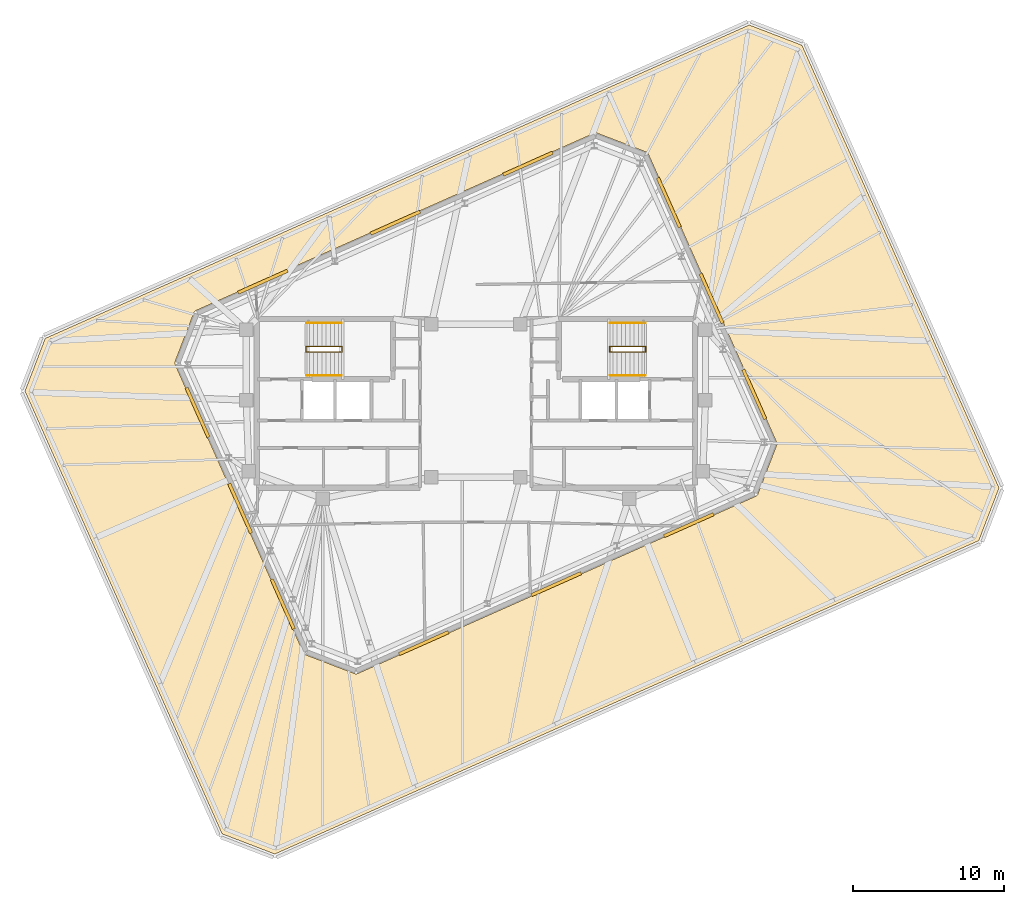
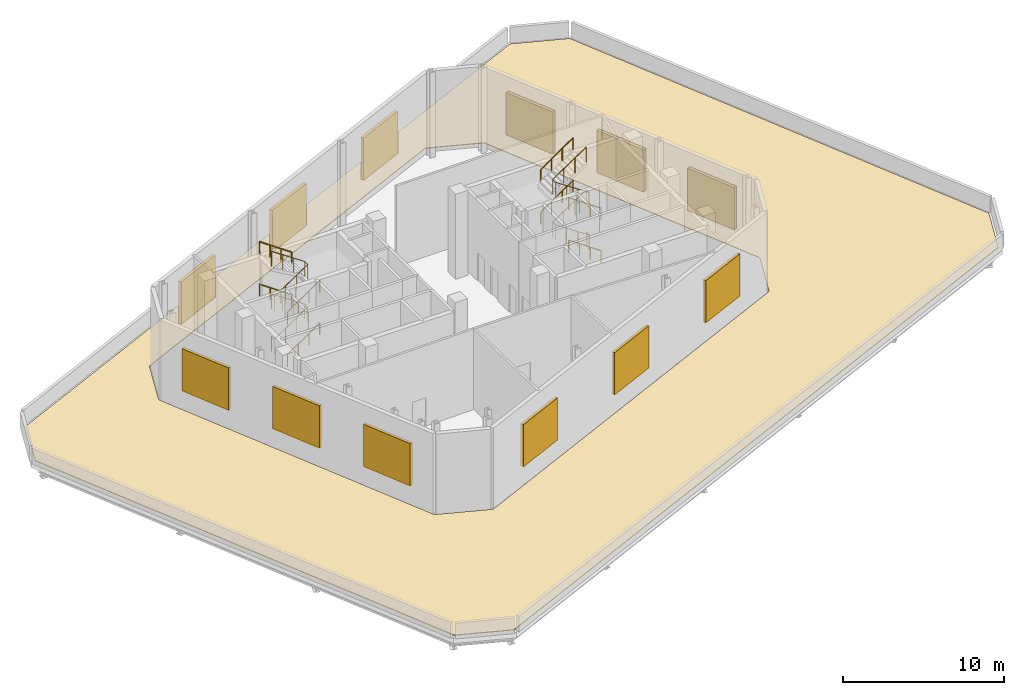
# One storey, part 10 of 10: 12 railings, 12 shading devices, 1 covering.
"""IFC4 building model written with IfcOpenShell, lengths in metres."""

from ifc_helpers import new_model, si_unit, direction, frame, origin, origin_2d, place, context, subcontext, project, spatial, polyline, rectangle, circle, outline, extrude, material, layer, layer_set, type_object, element, save


model = new_model("IFC4")

# Units and contexts
model_context = context("Model", 3, precision=1e-05, world=origin(), true_north=direction((0.0, 1.0)))
body_context = subcontext(model_context, "Body", "Model", "MODEL_VIEW")
ifc_project = project(units=[si_unit("LENGTHUNIT", "METRE"), si_unit("AREAUNIT", "SQUARE_METRE"), si_unit("VOLUMEUNIT", "CUBIC_METRE"), si_unit("PLANEANGLEUNIT", "RADIAN"), si_unit("MASSUNIT", "GRAM", prefix="KILO")], contexts=[model_context])

# Site, building, storey
site_placement = place(None, origin())
site = spatial("IfcSite", under=ifc_project, at=site_placement, CompositionType="ELEMENT")
building_placement = place(site_placement, origin())
building = spatial("IfcBuilding", under=site, at=building_placement, Name="Menara Jurai Vektor", CompositionType="ELEMENT")
storey_placement = place(building_placement, frame((0.0, 0.0, 305.550048828125)))
storey = spatial("IfcBuildingStorey", under=building, at=storey_placement, Name="L82", CompositionType="ELEMENT", Elevation=305.550048828125)

# Covering
ifc_material_1 = material(Name="Insulated Pale Metal Standing-Seam Roofing", Category="aluminium")
ifc_layer = layer(ifc_material_1, 0.050048828125)
ifc_layer_set = layer_set([ifc_layer], Name="Insulated Pale Metal Standing-Seam Roofing")
covering_type = type_object("IfcCoveringType", Name="ENV-COV-ROOFING", PredefinedType="ROOFING", material=ifc_layer_set)
covering_placement = place(storey_placement, origin())
element("IfcCovering", 1, at=covering_placement, inside=storey, type_object=covering_type, Name="Block 5 Main Roof Standing-Seam Roofing", PredefinedType="ROOFING", context=body_context, shape_type="SweptSolid", body=[
    extrude(outline(polyline([(-13.357177734375, -29.93994140625), (33.409912109375, -9.117919921875), (34.754638671875, -5.614501953125), (21.66064453125, 23.795166015625), (18.1572265625, 25.139892578125), (-28.60986328125, 4.318115234375), (-29.95458984375, 0.814453125), (-16.860595703125, -28.59521484375), (-13.357177734375, -29.93994140625)]), holes=[polyline([(-8.011962890625, -17.966552734375), (-7.99267578125, -17.970947265625), (-7.97314453125, -17.973388671875), (-7.95361328125, -17.9736328125), (-7.93408203125, -17.97216796875), (-7.914794921875, -17.96875), (-7.895751953125, -17.963623046875), (-7.87744140625, -17.95654296875), (18.615234375, -6.1611328125), (18.6328125, -6.15234375), (18.6494140625, -6.1416015625), (18.664794921875, -6.129638671875), (18.67919921875, -6.1162109375), (18.69189453125, -6.101318359375), (18.703125, -6.085205078125), (18.712890625, -6.068115234375), (18.720703125, -6.050048828125), (19.98779296875, -2.74951171875), (19.993896484375, -2.730712890625), (19.998046875, -2.711669921875), (20.00048828125, -2.692138671875), (20.0009765625, -2.672607421875), (19.99951171875, -2.65283203125), (19.99609375, -2.633544921875), (19.99072265625, -2.61474609375), (19.983642578125, -2.596435546875), (11.442138671875, 16.588134765625), (11.433349609375, 16.605712890625), (11.4228515625, 16.622314453125), (11.410888671875, 16.6376953125), (11.397216796875, 16.65185546875), (11.38232421875, 16.66455078125), (11.3662109375, 16.67578125), (11.34912109375, 16.685546875), (11.331298828125, 16.693603515625), (8.030517578125, 17.96044921875), (8.011962890625, 17.966552734375), (7.99267578125, 17.970947265625), (7.97314453125, 17.973388671875), (7.95361328125, 17.9736328125), (7.93408203125, 17.97216796875), (7.914794921875, 17.96875), (7.895751953125, 17.963623046875), (7.87744140625, 17.95654296875), (-18.615234375, 6.1611328125), (-18.6328125, 6.15234375), (-18.6494140625, 6.1416015625), (-18.664794921875, 6.129638671875), (-18.67919921875, 6.1162109375), (-18.69189453125, 6.101318359375), (-18.703125, 6.085205078125), (-18.712890625, 6.068115234375), (-18.720703125, 6.050048828125), (-19.98779296875, 2.74951171875), (-19.993896484375, 2.730712890625), (-19.998046875, 2.711669921875), (-20.00048828125, 2.692138671875), (-20.0009765625, 2.672607421875), (-19.99951171875, 2.65283203125), (-19.99609375, 2.633544921875), (-19.99072265625, 2.61474609375), (-19.983642578125, 2.596435546875), (-11.442138671875, -16.588134765625), (-11.433349609375, -16.605712890625), (-11.4228515625, -16.622314453125), (-11.410888671875, -16.6376953125), (-11.397216796875, -16.65185546875), (-11.38232421875, -16.66455078125), (-11.3662109375, -16.67578125), (-11.34912109375, -16.685546875), (-11.331298828125, -16.693603515625), (-8.030517578125, -17.96044921875), (-8.011962890625, -17.966552734375)])]), origin(), (0.0, 0.0, 1.0), 0.050048828125),
])

# Shading devices
ifc_material_2 = material(Name="Anodised Pale Aluminium Acoustic Louvre", Category="aluminium")
shading_device_type = type_object("IfcShadingDeviceType", Name="ENV-SHD-LOUVRE-DRUM", PredefinedType="USERDEFINED", material=ifc_material_2)
for number, where, z_axis, x_axis, name in (
    (2, (-3.458984375, -15.923583984375, 1.5), (0.0, 0.0, 1.0), (0.913545457643, 0.406736643076, 0.0), "Acoustic Plant Weather Louvre L82-DR01-1"),
    (3, (5.344482421875, -12.00390625, 1.5), (0.0, 0.0, 1.0), (0.913545457643, 0.406736643076, 0.0), "Acoustic Plant Weather Louvre L82-DR01-2"),
    (4, (14.148193359375, -8.08447265625, 1.5), (0.0, 0.0, 1.0), (0.913545457643, 0.406736643076, 0.0), "Acoustic Plant Weather Louvre L82-DR01-3"),
    (5, (18.4931640625, 0.60400390625, 1.5), (0.0, 0.0, 1.0), (-0.406736643076, 0.913545457643, 0.0), "Acoustic Plant Weather Louvre L82-DR03-1"),
    (6, (15.658203125, 6.971435546875, 1.5), (0.0, 0.0, 1.0), (-0.406736643076, 0.913545457643, 0.0), "Acoustic Plant Weather Louvre L82-DR03-2"),
    (7, (12.8232421875, 13.3388671875, 1.5), (0.0, 0.0, 1.0), (-0.406736643076, 0.913545457643, 0.0), "Acoustic Plant Weather Louvre L82-DR03-3"),
    (8, (3.458984375, 15.923583984375, 1.5), (0.0, 0.0, 1.0), (-0.913545457643, -0.406736643076, 0.0), "Acoustic Plant Weather Louvre L82-DR05-1"),
    (9, (-5.344482421875, 12.00390625, 1.5), (0.0, 0.0, 1.0), (-0.913545457643, -0.406736643076, 0.0), "Acoustic Plant Weather Louvre L82-DR05-2"),
    (10, (-14.148193359375, 8.08447265625, 1.5), (0.0, 0.0, 1.0), (-0.913545457643, -0.406736643076, 0.0), "Acoustic Plant Weather Louvre L82-DR05-3"),
    (11, (-18.4931640625, -0.60400390625, 1.5), (0.0, 0.0, 1.0), (0.406736643076, -0.913545457643, 0.0), "Acoustic Plant Weather Louvre L82-DR07-1"),
    (12, (-15.658203125, -6.971435546875, 1.5), (0.0, 0.0, 1.0), (0.406736643076, -0.913545457643, 0.0), "Acoustic Plant Weather Louvre L82-DR07-2"),
    (13, (-12.8232421875, -13.3388671875, 1.5), (0.0, 0.0, 1.0), (0.406736643076, -0.913545457643, 0.0), "Acoustic Plant Weather Louvre L82-DR07-3"),
):
    element("IfcShadingDevice", number, at=place(storey_placement, frame(where, z_axis=z_axis, x_axis=x_axis)), inside=storey, type_object=shading_device_type, Name=name, ObjectType="LOUVRE", PredefinedType="USERDEFINED", context=body_context, shape_type="SweptSolid", body=[
        extrude(rectangle(XDim=3.60009765625, YDim=0.219970703125, at=origin_2d()), origin(), (0.0, 0.0, 1.0), 3.199951171875),
    ])

# Railings
ifc_material_3 = material(Name="Painted Galvanised Steel Balustrade", Category="steel")
railing_type_1 = type_object("IfcRailingType", Name="RAIL-STAIR-GUARD", PredefinedType="GUARDRAIL", material=ifc_material_3)
railing_1_placement = place(storey_placement, frame((-11.2900390625, 3.780029296875, 0.0)))
element("IfcRailing", 14, at=railing_1_placement, inside=storey, type_object=railing_type_1, Name="ST1 Stair Guardrail 1 L82", PredefinedType="GUARDRAIL", context=body_context, shape_type="SweptSolid", body=[
    extrude(circle(Radius=0.02392578125, at=origin_2d()), frame((0.0, 0.0, 1.1259765625), z_axis=(0.0, -1.0, 0.0), x_axis=(1.0, 0.0, 0.0)), (0.0, 0.0, 1.0), 0.360107421875),
    extrude(circle(Radius=0.02392578125, at=origin_2d()), frame((0.0, -0.360107421875, 1.1259765625), z_axis=(0.830057538783, 0.0, 0.557677758485), x_axis=(0.0, 1.0, 0.0)), (0.0, 0.0, 1.0), 2.8916015625),
    extrude(circle(Radius=0.02392578125, at=origin_2d()), frame((2.400146484375, -0.360107421875, 2.73828125), z_axis=(0.0, 1.0, 0.0), x_axis=(-1.0, 0.0, 0.0)), (0.0, 0.0, 1.0), 0.360107421875),
    extrude(circle(Radius=0.02392578125, at=origin_2d()), frame((2.400146484375, 0.0, 2.73828125), z_axis=(-0.830096622857, 0.0, 0.557619580648), x_axis=(0.0, -1.0, 0.0)), (0.0, 0.0, 1.0), 2.891357421875),
    extrude(circle(Radius=0.02099609375, at=origin_2d()), origin(), (0.0, 0.0, 1.0), 1.101806640625),
    extrude(circle(Radius=0.02099609375, at=origin_2d()), frame((0.0, -0.360107421875, 0.0)), (0.0, 0.0, 1.0), 1.101806640625),
    extrude(circle(Radius=0.02099609375, at=origin_2d()), frame((0.800048828125, -0.360107421875, 0.53759765625)), (0.0, 0.0, 1.0), 1.101806640625),
    extrude(circle(Radius=0.02099609375, at=origin_2d()), frame((1.60009765625, -0.360107421875, 1.074951171875)), (0.0, 0.0, 1.0), 1.101806640625),
    extrude(circle(Radius=0.02099609375, at=origin_2d()), frame((2.400146484375, -0.360107421875, 1.612548828125)), (0.0, 0.0, 1.0), 1.101806640625),
    extrude(circle(Radius=0.02099609375, at=origin_2d()), frame((2.400146484375, 0.0, 1.612548828125)), (0.0, 0.0, 1.0), 1.101806640625),
    extrude(circle(Radius=0.02099609375, at=origin_2d()), frame((1.60009765625, 0.0, 2.14990234375)), (0.0, 0.0, 1.0), 1.101806640625),
    extrude(circle(Radius=0.02099609375, at=origin_2d()), frame((0.800048828125, 0.0, 2.6875)), (0.0, 0.0, 1.0), 1.101806640625),
    extrude(circle(Radius=0.02099609375, at=origin_2d()), frame((0.0, 0.0, 3.224853515625)), (0.0, 0.0, 1.0), 1.101806640625),
])
railing_2_placement = place(storey_placement, frame((-11.2900390625, 3.780029296875, 3.224853515625)))
element("IfcRailing", 15, at=railing_2_placement, inside=storey, type_object=railing_type_1, Name="ST1 Stair Guardrail 2 L82", PredefinedType="GUARDRAIL", context=body_context, shape_type="SweptSolid", body=[
    extrude(circle(Radius=0.02392578125, at=origin_2d()), frame((0.0, 0.0, 1.1259765625), z_axis=(0.0, -1.0, 0.0), x_axis=(1.0, 0.0, 0.0)), (0.0, 0.0, 1.0), 0.360107421875),
    extrude(circle(Radius=0.02392578125, at=origin_2d()), frame((0.0, -0.360107421875, 1.1259765625), z_axis=(0.830057538783, 0.0, 0.557677758485), x_axis=(0.0, 1.0, 0.0)), (0.0, 0.0, 1.0), 2.8916015625),
    extrude(circle(Radius=0.02392578125, at=origin_2d()), frame((2.400146484375, -0.360107421875, 2.73828125), z_axis=(0.0, 1.0, 0.0), x_axis=(-1.0, 0.0, 0.0)), (0.0, 0.0, 1.0), 0.360107421875),
    extrude(circle(Radius=0.02392578125, at=origin_2d()), frame((2.400146484375, 0.0, 2.73828125), z_axis=(-0.830057538783, 0.0, 0.557677758485), x_axis=(0.0, -1.0, 0.0)), (0.0, 0.0, 1.0), 2.8916015625),
    extrude(circle(Radius=0.02099609375, at=origin_2d()), origin(), (0.0, 0.0, 1.0), 1.101806640625),
    extrude(circle(Radius=0.02099609375, at=origin_2d()), frame((0.0, -0.360107421875, 0.0)), (0.0, 0.0, 1.0), 1.101806640625),
    extrude(circle(Radius=0.02099609375, at=origin_2d()), frame((0.800048828125, -0.360107421875, 0.53759765625)), (0.0, 0.0, 1.0), 1.101806640625),
    extrude(circle(Radius=0.02099609375, at=origin_2d()), frame((1.60009765625, -0.360107421875, 1.074951171875)), (0.0, 0.0, 1.0), 1.101806640625),
    extrude(circle(Radius=0.02099609375, at=origin_2d()), frame((2.400146484375, -0.360107421875, 1.612548828125)), (0.0, 0.0, 1.0), 1.101806640625),
    extrude(circle(Radius=0.02099609375, at=origin_2d()), frame((2.400146484375, 0.0, 1.612548828125)), (0.0, 0.0, 1.0), 1.101806640625),
    extrude(circle(Radius=0.02099609375, at=origin_2d()), frame((1.60009765625, 0.0, 2.150146484375)), (0.0, 0.0, 1.0), 1.101806640625),
    extrude(circle(Radius=0.02099609375, at=origin_2d()), frame((0.800048828125, 0.0, 2.6875)), (0.0, 0.0, 1.0), 1.101806640625),
    extrude(circle(Radius=0.02099609375, at=origin_2d()), frame((0.0, 0.0, 3.22509765625)), (0.0, 0.0, 1.0), 1.101806640625),
])
railing_3_placement = place(storey_placement, frame((11.2900390625, 3.780029296875, 0.0)))
element("IfcRailing", 16, at=railing_3_placement, inside=storey, type_object=railing_type_1, Name="ST2 Stair Guardrail 1 L82", PredefinedType="GUARDRAIL", context=body_context, shape_type="SweptSolid", body=[
    extrude(circle(Radius=0.02392578125, at=origin_2d()), frame((0.0, 0.0, 1.1259765625), z_axis=(0.0, -1.0, 0.0), x_axis=(1.0, 0.0, 0.0)), (0.0, 0.0, 1.0), 0.360107421875),
    extrude(circle(Radius=0.02392578125, at=origin_2d()), frame((0.0, -0.360107421875, 1.1259765625), z_axis=(-0.830057538783, 0.0, 0.557677758485), x_axis=(0.0, -1.0, 0.0)), (0.0, 0.0, 1.0), 2.8916015625),
    extrude(circle(Radius=0.02392578125, at=origin_2d()), frame((-2.400146484375, -0.360107421875, 2.73828125), z_axis=(0.0, 1.0, 0.0), x_axis=(-1.0, 0.0, 0.0)), (0.0, 0.0, 1.0), 0.360107421875),
    extrude(circle(Radius=0.02392578125, at=origin_2d()), frame((-2.400146484375, 0.0, 2.73828125), z_axis=(0.830096622857, 0.0, 0.557619580648), x_axis=(0.0, 1.0, 0.0)), (0.0, 0.0, 1.0), 2.891357421875),
    extrude(circle(Radius=0.02099609375, at=origin_2d()), origin(), (0.0, 0.0, 1.0), 1.101806640625),
    extrude(circle(Radius=0.02099609375, at=origin_2d()), frame((0.0, -0.360107421875, 0.0)), (0.0, 0.0, 1.0), 1.101806640625),
    extrude(circle(Radius=0.02099609375, at=origin_2d()), frame((-0.800048828125, -0.360107421875, 0.53759765625)), (0.0, 0.0, 1.0), 1.101806640625),
    extrude(circle(Radius=0.02099609375, at=origin_2d()), frame((-1.60009765625, -0.360107421875, 1.074951171875)), (0.0, 0.0, 1.0), 1.101806640625),
    extrude(circle(Radius=0.02099609375, at=origin_2d()), frame((-2.400146484375, -0.360107421875, 1.612548828125)), (0.0, 0.0, 1.0), 1.101806640625),
    extrude(circle(Radius=0.02099609375, at=origin_2d()), frame((-2.400146484375, 0.0, 1.612548828125)), (0.0, 0.0, 1.0), 1.101806640625),
    extrude(circle(Radius=0.02099609375, at=origin_2d()), frame((-1.60009765625, 0.0, 2.14990234375)), (0.0, 0.0, 1.0), 1.101806640625),
    extrude(circle(Radius=0.02099609375, at=origin_2d()), frame((-0.800048828125, 0.0, 2.6875)), (0.0, 0.0, 1.0), 1.101806640625),
    extrude(circle(Radius=0.02099609375, at=origin_2d()), frame((0.0, 0.0, 3.224853515625)), (0.0, 0.0, 1.0), 1.101806640625),
])
railing_4_placement = place(storey_placement, frame((11.2900390625, 3.780029296875, 3.224853515625)))
element("IfcRailing", 17, at=railing_4_placement, inside=storey, type_object=railing_type_1, Name="ST2 Stair Guardrail 2 L82", PredefinedType="GUARDRAIL", context=body_context, shape_type="SweptSolid", body=[
    extrude(circle(Radius=0.02392578125, at=origin_2d()), frame((0.0, 0.0, 1.1259765625), z_axis=(0.0, -1.0, 0.0), x_axis=(1.0, 0.0, 0.0)), (0.0, 0.0, 1.0), 0.360107421875),
    extrude(circle(Radius=0.02392578125, at=origin_2d()), frame((0.0, -0.360107421875, 1.1259765625), z_axis=(-0.830057538783, 0.0, 0.557677758485), x_axis=(0.0, -1.0, 0.0)), (0.0, 0.0, 1.0), 2.8916015625),
    extrude(circle(Radius=0.02392578125, at=origin_2d()), frame((-2.400146484375, -0.360107421875, 2.73828125), z_axis=(0.0, 1.0, 0.0), x_axis=(-1.0, 0.0, 0.0)), (0.0, 0.0, 1.0), 0.360107421875),
    extrude(circle(Radius=0.02392578125, at=origin_2d()), frame((-2.400146484375, 0.0, 2.73828125), z_axis=(0.830057538783, 0.0, 0.557677758485), x_axis=(0.0, 1.0, 0.0)), (0.0, 0.0, 1.0), 2.8916015625),
    extrude(circle(Radius=0.02099609375, at=origin_2d()), origin(), (0.0, 0.0, 1.0), 1.101806640625),
    extrude(circle(Radius=0.02099609375, at=origin_2d()), frame((0.0, -0.360107421875, 0.0)), (0.0, 0.0, 1.0), 1.101806640625),
    extrude(circle(Radius=0.02099609375, at=origin_2d()), frame((-0.800048828125, -0.360107421875, 0.53759765625)), (0.0, 0.0, 1.0), 1.101806640625),
    extrude(circle(Radius=0.02099609375, at=origin_2d()), frame((-1.60009765625, -0.360107421875, 1.074951171875)), (0.0, 0.0, 1.0), 1.101806640625),
    extrude(circle(Radius=0.02099609375, at=origin_2d()), frame((-2.400146484375, -0.360107421875, 1.612548828125)), (0.0, 0.0, 1.0), 1.101806640625),
    extrude(circle(Radius=0.02099609375, at=origin_2d()), frame((-2.400146484375, 0.0, 1.612548828125)), (0.0, 0.0, 1.0), 1.101806640625),
    extrude(circle(Radius=0.02099609375, at=origin_2d()), frame((-1.60009765625, 0.0, 2.150146484375)), (0.0, 0.0, 1.0), 1.101806640625),
    extrude(circle(Radius=0.02099609375, at=origin_2d()), frame((-0.800048828125, 0.0, 2.6875)), (0.0, 0.0, 1.0), 1.101806640625),
    extrude(circle(Radius=0.02099609375, at=origin_2d()), frame((0.0, 0.0, 3.22509765625)), (0.0, 0.0, 1.0), 1.101806640625),
])
ifc_material_4 = material(Name="Brushed Stainless Steel Handrail", Category="steel")
railing_type_2 = type_object("IfcRailingType", Name="RAIL-STAIR-HAND", PredefinedType="HANDRAIL", material=ifc_material_4)
railing_5_placement = place(storey_placement, frame((-11.25, 1.860107421875, 0.0)))
element("IfcRailing", 18, at=railing_5_placement, inside=storey, type_object=railing_type_2, Name="ST1 Stair Handrail 1 L82", PredefinedType="HANDRAIL", context=body_context, shape_type="SweptSolid", body=[
    extrude(circle(Radius=0.02392578125, at=origin_2d()), frame((0.0, 0.0, 0.89599609375), z_axis=(0.821139371139, 0.0, 0.570727722443), x_axis=(0.0, 1.0, 0.0)), (0.0, 0.0, 1.0), 2.825439453125),
    extrude(circle(Radius=0.02099609375, at=origin_2d()), origin(), (0.0, 0.0, 1.0), 0.871826171875),
    extrude(circle(Radius=0.02099609375, at=origin_2d()), frame((0.7734375, 0.0, 0.53759765625)), (0.0, 0.0, 1.0), 0.871826171875),
    extrude(circle(Radius=0.02099609375, at=origin_2d()), frame((1.546630859375, 0.0, 1.074951171875)), (0.0, 0.0, 1.0), 0.871826171875),
    extrude(circle(Radius=0.02099609375, at=origin_2d()), frame((2.320068359375, 0.0, 1.612548828125)), (0.0, 0.0, 1.0), 0.871826171875),
])
railing_6_placement = place(storey_placement, frame((-8.929931640625, 5.340087890625, 1.612548828125)))
element("IfcRailing", 19, at=railing_6_placement, inside=storey, type_object=railing_type_2, Name="ST1 Stair Handrail 2 L82", PredefinedType="HANDRAIL", context=body_context, shape_type="SweptSolid", body=[
    extrude(circle(Radius=0.02392578125, at=origin_2d()), frame((0.0, 0.0, 0.89599609375), z_axis=(-0.821179866124, 0.0, 0.570669455528), x_axis=(0.0, -1.0, 0.0)), (0.0, 0.0, 1.0), 2.8251953125),
    extrude(circle(Radius=0.02099609375, at=origin_2d()), origin(), (0.0, 0.0, 1.0), 0.871826171875),
    extrude(circle(Radius=0.02099609375, at=origin_2d()), frame((-0.7734375, 0.0, 0.537353515625)), (0.0, 0.0, 1.0), 0.871826171875),
    extrude(circle(Radius=0.02099609375, at=origin_2d()), frame((-1.546630859375, 0.0, 1.074951171875)), (0.0, 0.0, 1.0), 0.871826171875),
    extrude(circle(Radius=0.02099609375, at=origin_2d()), frame((-2.320068359375, 0.0, 1.6123046875)), (0.0, 0.0, 1.0), 0.871826171875),
])
railing_7_placement = place(storey_placement, frame((-11.25, 1.860107421875, 3.224853515625)))
element("IfcRailing", 20, at=railing_7_placement, inside=storey, type_object=railing_type_2, Name="ST1 Stair Handrail 3 L82", PredefinedType="HANDRAIL", context=body_context, shape_type="SweptSolid", body=[
    extrude(circle(Radius=0.02392578125, at=origin_2d()), frame((0.0, 0.0, 0.89599609375), z_axis=(0.821139371139, 0.0, 0.570727722443), x_axis=(0.0, 1.0, 0.0)), (0.0, 0.0, 1.0), 2.825439453125),
    extrude(circle(Radius=0.02099609375, at=origin_2d()), origin(), (0.0, 0.0, 1.0), 0.871826171875),
    extrude(circle(Radius=0.02099609375, at=origin_2d()), frame((0.7734375, 0.0, 0.53759765625)), (0.0, 0.0, 1.0), 0.871826171875),
    extrude(circle(Radius=0.02099609375, at=origin_2d()), frame((1.546630859375, 0.0, 1.074951171875)), (0.0, 0.0, 1.0), 0.871826171875),
    extrude(circle(Radius=0.02099609375, at=origin_2d()), frame((2.320068359375, 0.0, 1.612548828125)), (0.0, 0.0, 1.0), 0.871826171875),
])
for number, where, name in (
    (21, (-8.929931640625, 5.340087890625, 4.83740234375), "ST1 Stair Handrail 4 L82"),
    (22, (11.25, 1.860107421875, 0.0), "ST2 Stair Handrail 1 L82"),
):
    element("IfcRailing", number, at=place(storey_placement, frame(where)), inside=storey, type_object=railing_type_2, Name=name, PredefinedType="HANDRAIL", context=body_context, shape_type="SweptSolid", body=[
        extrude(circle(Radius=0.02392578125, at=origin_2d()), frame((0.0, 0.0, 0.89599609375), z_axis=(-0.821139371139, 0.0, 0.570727722443), x_axis=(0.0, -1.0, 0.0)), (0.0, 0.0, 1.0), 2.825439453125),
        extrude(circle(Radius=0.02099609375, at=origin_2d()), origin(), (0.0, 0.0, 1.0), 0.871826171875),
        extrude(circle(Radius=0.02099609375, at=origin_2d()), frame((-0.7734375, 0.0, 0.53759765625)), (0.0, 0.0, 1.0), 0.871826171875),
        extrude(circle(Radius=0.02099609375, at=origin_2d()), frame((-1.546630859375, 0.0, 1.074951171875)), (0.0, 0.0, 1.0), 0.871826171875),
        extrude(circle(Radius=0.02099609375, at=origin_2d()), frame((-2.320068359375, 0.0, 1.612548828125)), (0.0, 0.0, 1.0), 0.871826171875),
    ])
railing_8_placement = place(storey_placement, frame((8.929931640625, 5.340087890625, 1.612548828125)))
element("IfcRailing", 23, at=railing_8_placement, inside=storey, type_object=railing_type_2, Name="ST2 Stair Handrail 2 L82", PredefinedType="HANDRAIL", context=body_context, shape_type="SweptSolid", body=[
    extrude(circle(Radius=0.02392578125, at=origin_2d()), frame((0.0, 0.0, 0.89599609375), z_axis=(0.821179866124, 0.0, 0.570669455528), x_axis=(0.0, 1.0, 0.0)), (0.0, 0.0, 1.0), 2.8251953125),
    extrude(circle(Radius=0.02099609375, at=origin_2d()), origin(), (0.0, 0.0, 1.0), 0.871826171875),
    extrude(circle(Radius=0.02099609375, at=origin_2d()), frame((0.7734375, 0.0, 0.537353515625)), (0.0, 0.0, 1.0), 0.871826171875),
    extrude(circle(Radius=0.02099609375, at=origin_2d()), frame((1.546630859375, 0.0, 1.074951171875)), (0.0, 0.0, 1.0), 0.871826171875),
    extrude(circle(Radius=0.02099609375, at=origin_2d()), frame((2.320068359375, 0.0, 1.6123046875)), (0.0, 0.0, 1.0), 0.871826171875),
])
railing_9_placement = place(storey_placement, frame((11.25, 1.860107421875, 3.224853515625)))
element("IfcRailing", 24, at=railing_9_placement, inside=storey, type_object=railing_type_2, Name="ST2 Stair Handrail 3 L82", PredefinedType="HANDRAIL", context=body_context, shape_type="SweptSolid", body=[
    extrude(circle(Radius=0.02392578125, at=origin_2d()), frame((0.0, 0.0, 0.89599609375), z_axis=(-0.821139371139, 0.0, 0.570727722443), x_axis=(0.0, -1.0, 0.0)), (0.0, 0.0, 1.0), 2.825439453125),
    extrude(circle(Radius=0.02099609375, at=origin_2d()), origin(), (0.0, 0.0, 1.0), 0.871826171875),
    extrude(circle(Radius=0.02099609375, at=origin_2d()), frame((-0.7734375, 0.0, 0.53759765625)), (0.0, 0.0, 1.0), 0.871826171875),
    extrude(circle(Radius=0.02099609375, at=origin_2d()), frame((-1.546630859375, 0.0, 1.074951171875)), (0.0, 0.0, 1.0), 0.871826171875),
    extrude(circle(Radius=0.02099609375, at=origin_2d()), frame((-2.320068359375, 0.0, 1.612548828125)), (0.0, 0.0, 1.0), 0.871826171875),
])
railing_10_placement = place(storey_placement, frame((8.929931640625, 5.340087890625, 4.83740234375)))
element("IfcRailing", 25, at=railing_10_placement, inside=storey, type_object=railing_type_2, Name="ST2 Stair Handrail 4 L82", PredefinedType="HANDRAIL", context=body_context, shape_type="SweptSolid", body=[
    extrude(circle(Radius=0.02392578125, at=origin_2d()), frame((0.0, 0.0, 0.89599609375), z_axis=(0.821139371139, 0.0, 0.570727722443), x_axis=(0.0, 1.0, 0.0)), (0.0, 0.0, 1.0), 2.825439453125),
    extrude(circle(Radius=0.02099609375, at=origin_2d()), origin(), (0.0, 0.0, 1.0), 0.871826171875),
    extrude(circle(Radius=0.02099609375, at=origin_2d()), frame((0.7734375, 0.0, 0.53759765625)), (0.0, 0.0, 1.0), 0.871826171875),
    extrude(circle(Radius=0.02099609375, at=origin_2d()), frame((1.546630859375, 0.0, 1.074951171875)), (0.0, 0.0, 1.0), 0.871826171875),
    extrude(circle(Radius=0.02099609375, at=origin_2d()), frame((2.320068359375, 0.0, 1.612548828125)), (0.0, 0.0, 1.0), 0.871826171875),
])

save(model, "model.ifc")
